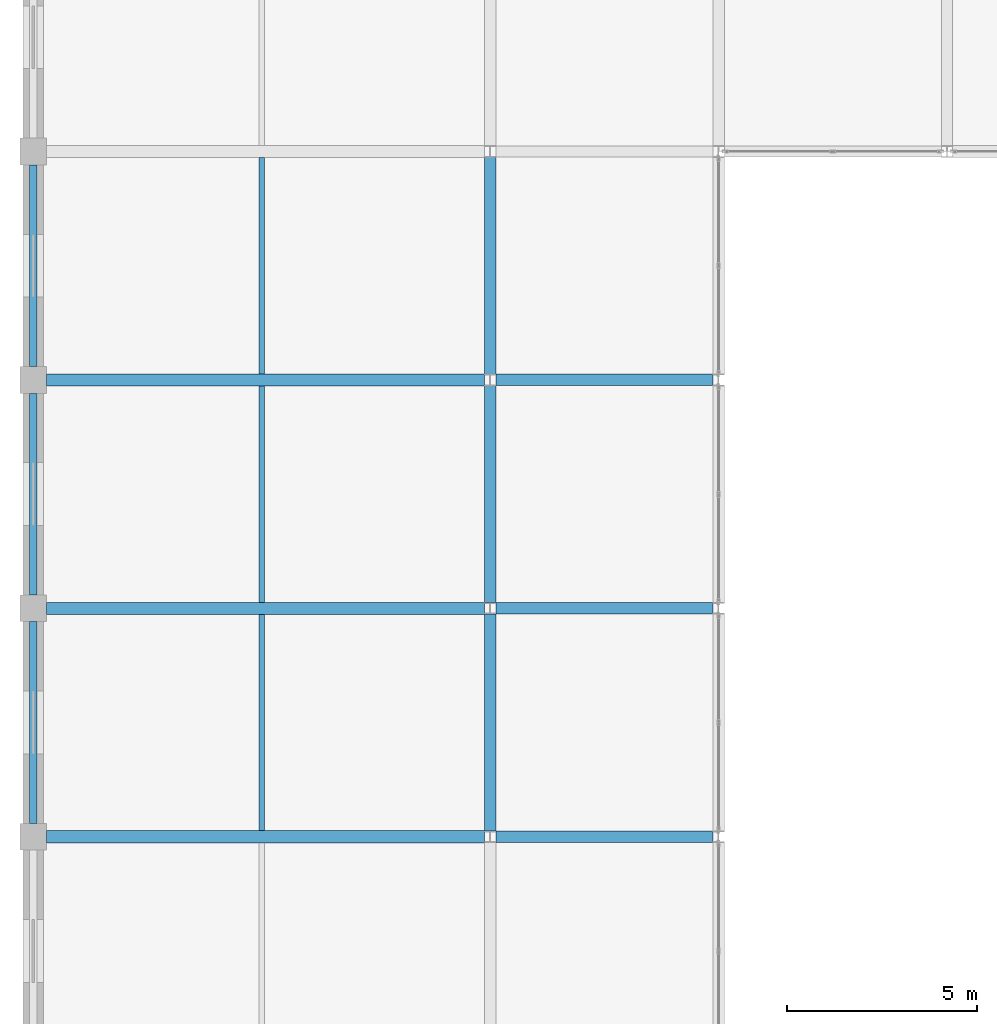
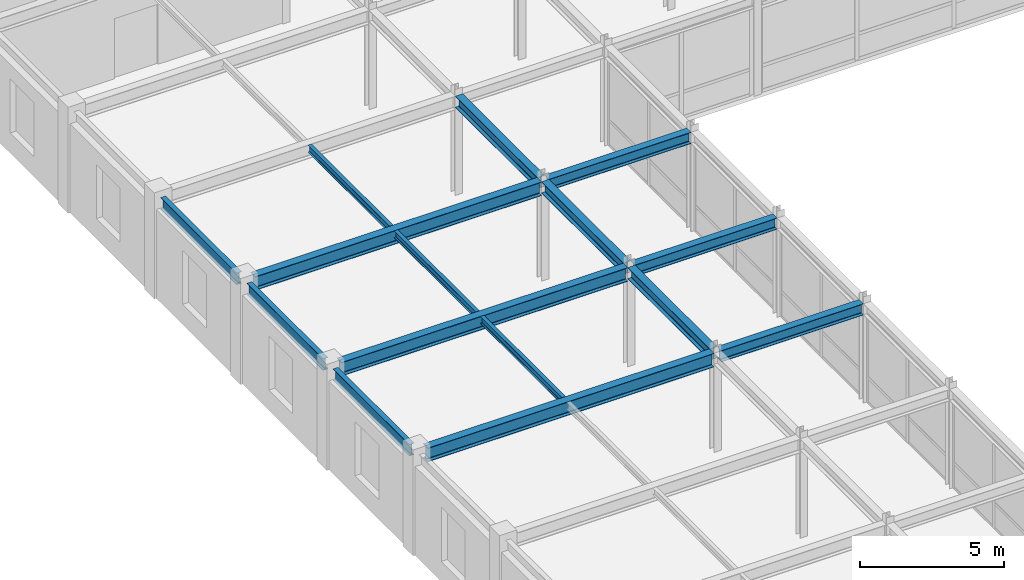
# One storey, part 41 of 108: 15 beams.
"""IFC4 building model written with IfcOpenShell, lengths in metres."""

import ifcopenshell
import ifcopenshell.guid

model = None  # the IFC model being written
_history = None  # IfcOwnerHistory: only IFC2X3 demands one
_inside = {}  # id of a spatial element -> (the spatial element, [elements in it])
_under = {}  # id of a project, library or spatial element -> (it, [spatial elements below it])
_declared = {}  # id of a project -> (the project, [libraries it declares])
_typed = {}  # id of a type object -> (the type object, [elements of that type])
_made_of = {}  # id of a material, layer set ... -> (it, [elements and type objects made of it])


def new_model(schema):
    """Start an empty IFC model of exactly this schema.

    Asked for "IFC4X3", IfcOpenShell would pick the latest addendum, in which some entities
    have other attributes; the version numbers below select the first issue.
    IFC2X3 requires an IfcOwnerHistory on every rooted entity: one is made here for all.
    """
    global model, _history
    if schema == "IFC4X3":
        model = ifcopenshell.file(schema_version=(4, 3, 0, 0))
    else:
        model = ifcopenshell.file(schema=schema)
    _inside.clear()
    _under.clear()
    _declared.clear()
    _typed.clear()
    _made_of.clear()
    _history = None
    if model.schema == "IFC2X3":
        org = make("IfcOrganization", Name="unknown")
        user = make(
            "IfcPersonAndOrganization",
            ThePerson=make("IfcPerson", FamilyName="unknown"),
            TheOrganization=org,
        )
        app = make(
            "IfcApplication",
            ApplicationDeveloper=org,
            Version="unknown",
            ApplicationFullName="unknown",
            ApplicationIdentifier="unknown",
        )
        _history = make(
            "IfcOwnerHistory",
            OwningUser=user,
            OwningApplication=app,
            ChangeAction="ADDED",
            CreationDate=0,
        )
    return model


def make(cls, **values):
    """One entity of the class cls with the attributes given. An attribute that is None is left unset."""
    return model.create_entity(
        cls, **{name: value for name, value in values.items() if value is not None}
    )


def rooted(cls, **values):
    """An entity with a GlobalId (a new one), such as an element, a storey or a relation."""
    return make(cls, GlobalId=ifcopenshell.guid.new(), OwnerHistory=_history, **values)


def si_unit(unit_type, name, prefix=None):
    """IfcSIUnit, for example si_unit("LENGTHUNIT", "METRE", prefix="MILLI")."""
    return make("IfcSIUnit", UnitType=unit_type, Prefix=prefix, Name=name)


def assignment(units):
    """IfcUnitAssignment: the units of a project."""
    return None if units is None else make("IfcUnitAssignment", Units=units)


def point(xyz):
    """IfcCartesianPoint."""
    return None if xyz is None else make("IfcCartesianPoint", Coordinates=xyz)


def direction(xyz):
    """IfcDirection."""
    return None if xyz is None else make("IfcDirection", DirectionRatios=xyz)


def frame(location, z_axis=None, x_axis=None):
    """IfcAxis2Placement3D, a coordinate frame: its origin and axes. An axis left out is left unset."""
    return make(
        "IfcAxis2Placement3D",
        Location=point(location),
        Axis=direction(z_axis),
        RefDirection=direction(x_axis),
    )


def frame_2d(location, x_axis=None):
    """IfcAxis2Placement2D, a coordinate frame in the plane: its origin and x axis."""
    return make(
        "IfcAxis2Placement2D", Location=point(location), RefDirection=direction(x_axis)
    )


def origin():
    """The frame at (0, 0, 0) with its axes left unset."""
    return frame((0.0, 0.0, 0.0))


def origin_2d():
    """The frame at (0, 0) in the plane with its x axis left unset."""
    return frame_2d((0.0, 0.0))


def place(relative_to, where):
    """IfcLocalPlacement: puts the frame where relative to a parent placement (None: the world)."""
    return make(
        "IfcLocalPlacement", PlacementRelTo=relative_to, RelativePlacement=where
    )


def context(
    kind, dimensions, precision=None, world=None, true_north=None, identifier=None
):
    """IfcGeometricRepresentationContext, for example the 3D "Model" context."""
    return make(
        "IfcGeometricRepresentationContext",
        ContextIdentifier=identifier,
        ContextType=kind,
        CoordinateSpaceDimension=dimensions,
        Precision=precision,
        WorldCoordinateSystem=world,
        TrueNorth=true_north,
    )


def subcontext(parent, identifier, kind, view, scale=None):
    """IfcGeometricRepresentationSubContext, for example "Body" below "Model"."""
    return make(
        "IfcGeometricRepresentationSubContext",
        ContextIdentifier=identifier,
        ContextType=kind,
        ParentContext=parent,
        TargetScale=scale,
        TargetView=view,
    )


def project(units=None, contexts=None):
    """IfcProject with its units and contexts."""
    return rooted(
        "IfcProject",
        Name="project",
        RepresentationContexts=contexts,
        UnitsInContext=assignment(units),
    )


def spatial(cls, under=None, at=None, **own):
    """A site, building, storey or space (cls), placed at a placement, below another one or the project."""
    s = rooted(cls, ObjectPlacement=at, **own)
    if under is not None:
        _under.setdefault(under.id(), (under, []))[1].append(s)
    return s


def profile(cls, at=None, kind="AREA", **sizes):
    """A parametric profile (cls). Its sizes go by their IFC names, for example OverallWidth=200.0."""
    return make(cls, ProfileType=kind, Position=at, **sizes)


def i_section(**sizes):
    """IfcIShapeProfileDef."""
    return profile("IfcIShapeProfileDef", **sizes)


def extrude(swept, where, along, depth):
    """IfcExtrudedAreaSolid: the profile swept, set in the frame where, extruded along a direction by depth."""
    return make(
        "IfcExtrudedAreaSolid",
        SweptArea=swept,
        Position=where,
        ExtrudedDirection=direction(along),
        Depth=depth,
    )


def shape(context_of_items, identifier, shape_type, items):
    """IfcShapeRepresentation: the items that make up one representation, for example the "Body"."""
    return make(
        "IfcShapeRepresentation",
        ContextOfItems=context_of_items,
        RepresentationIdentifier=identifier,
        RepresentationType=shape_type,
        Items=items,
    )


def material(Name=None, Category=None):
    """IfcMaterial."""
    return make("IfcMaterial", Name=Name, Category=Category)


def material_profile(
    of_material, cross_section, Name=None, Category=None, Priority=None
):
    """IfcMaterialProfile: a cross section and its material."""
    return make(
        "IfcMaterialProfile",
        Name=Name,
        Material=of_material,
        Profile=cross_section,
        Priority=Priority,
        Category=Category,
    )


def profile_set(profiles, Name=None, composite=None):
    """IfcMaterialProfileSet."""
    return make(
        "IfcMaterialProfileSet",
        Name=Name,
        MaterialProfiles=profiles,
        CompositeProfile=composite,
    )


def made_of(thing, what):
    """Note that an element or type object is made of a material, layer set ...; save() writes the relation."""
    if what is not None:
        _made_of.setdefault(what.id(), (what, []))[1].append(thing)
    return thing


def type_object(cls, material=None, **own):
    """A type object (cls), such as IfcWallType, which elements share."""
    return made_of(rooted(cls, **own), material)


def element(
    cls,
    number,
    at=None,
    inside=None,
    cuts=None,
    type_object=None,
    material=None,
    context=None,
    identifier="Body",
    shape_type=None,
    held_by="IfcProductDefinitionShape",
    body=None,
    shapes=None,
    **own,
):
    """One element of the class cls, such as IfcWall. Its Tag is "e" and its number.

    at: its placement. inside: the storey or other place that contains it. cuts: it is an
    opening in that element (IfcRelVoidsElement). A single representation is given by context,
    identifier, shape_type and body (its items); several are given by shapes. held_by: the class
    of the entity that holds the representations. save() writes the other relations.
    """
    e = rooted(cls, Tag="e%d" % number, ObjectPlacement=at, **own)
    if body is not None:
        shapes = [shape(context, identifier, shape_type, body)]
    if shapes is not None:
        e.Representation = make(held_by, Representations=shapes)
    if inside is not None:
        _inside.setdefault(inside.id(), (inside, []))[1].append(e)
    if cuts is not None:
        rooted(
            "IfcRelVoidsElement", RelatingBuildingElement=cuts, RelatedOpeningElement=e
        )
    if type_object is not None:
        _typed.setdefault(type_object.id(), (type_object, []))[1].append(e)
    return made_of(e, material)


def aggregate(whole, parts):
    """IfcRelAggregates: a whole, such as a stair, and the parts it consists of."""
    return rooted("IfcRelAggregates", RelatingObject=whole, RelatedObjects=parts)


def save(model, path):
    """Write the relations noted so far, then the file.

    IfcRelAggregates (storeys below a building ...), IfcRelContainedInSpatialStructure (elements
    in a storey), IfcRelDefinesByType, IfcRelAssociatesMaterial and IfcRelDeclares: one each for
    every whole, place, type object, material and project.
    """
    for whole, parts in _under.values():
        aggregate(whole, parts)
    for where, things in _inside.values():
        rooted(
            "IfcRelContainedInSpatialStructure",
            RelatedElements=things,
            RelatingStructure=where,
        )
    for kind, things in _typed.values():
        rooted("IfcRelDefinesByType", RelatedObjects=things, RelatingType=kind)
    for what, things in _made_of.values():
        rooted("IfcRelAssociatesMaterial", RelatedObjects=things, RelatingMaterial=what)
    for by, libraries in _declared.values():
        rooted("IfcRelDeclares", RelatingContext=by, RelatedDefinitions=libraries)
    model.write(path)


model = new_model("IFC4")

# Units and contexts
model_context = context("Model", 3, precision=1e-05, world=origin(), true_north=direction((0.0, 1.0)))
body_context = subcontext(model_context, "Body", "Model", "MODEL_VIEW")
ifc_project = project(units=[si_unit("LENGTHUNIT", "METRE"), si_unit("AREAUNIT", "SQUARE_METRE"), si_unit("VOLUMEUNIT", "CUBIC_METRE"), si_unit("PLANEANGLEUNIT", "RADIAN"), si_unit("MASSUNIT", "GRAM", prefix="KILO")], contexts=[model_context])

# Site, building, storey
site_placement = place(None, origin())
site = spatial("IfcSite", under=ifc_project, at=site_placement, CompositionType="ELEMENT")
building_placement = place(site_placement, origin())
building = spatial("IfcBuilding", under=site, at=building_placement, Name="Zlatovratsky Civic Hall", CompositionType="ELEMENT")
storey_placement = place(building_placement, frame((0.0, 0.0, 12.0)))
storey = spatial("IfcBuildingStorey", under=building, at=storey_placement, Name="L03", CompositionType="ELEMENT", Elevation=12.0)

# Beams
ifc_material = material(Name="Steel S355", Category="steel")
ifc_material_profile_1 = material_profile(ifc_material, i_section(OverallWidth=0.300048828125, OverallDepth=0.48193359375, WebThickness=0.010986328125, FlangeThickness=0.014892578125, FilletRadius=0.02392578125, at=origin_2d()), Name="50Sh1")
ifc_profile_set_1 = profile_set([ifc_material_profile_1], Name="Steel S355")
beam_type_1 = type_object("IfcBeamType", Name="Beam_LibraryGirder_50Sh1", PredefinedType="BEAM", material=ifc_profile_set_1)
for number, where, z_axis, x_axis, name in (
    (1, (12.1494140625, 48.0, 3.97900390625), (1.0, 0.0, 0.0), (0.0, 1.0, 0.0), "BM-2576"),
    (2, (12.1494140625, 54.0, 3.97900390625), (1.0, 0.0, 0.0), (0.0, 1.0, 0.0), "BM-2586"),
    (3, (12.1494140625, 60.0, 3.97900390625), (1.0, 0.0, 0.0), (0.0, 1.0, 0.0), "BM-2596"),
):
    element("IfcBeam", number, at=place(storey_placement, frame(where, z_axis=z_axis, x_axis=x_axis)), inside=storey, type_object=beam_type_1, Name=name, PredefinedType="BEAM", context=body_context, shape_type="SweptSolid", body=[
        extrude(i_section(OverallWidth=0.300048828125, OverallDepth=0.48193359375, WebThickness=0.010986328125, FlangeThickness=0.014892578125, FilletRadius=0.02392578125, at=origin_2d()), origin(), (0.0, 0.0, 1.0), 5.701171875),
    ])
for number, where, z_axis, x_axis, name in (
    (4, (12.0, 48.14794921875, 3.97900390625), (0.0, 1.0, 0.0), (-1.0, 0.0, 0.0), "BM-2816"),
    (5, (12.0, 54.14794921875, 3.97900390625), (0.0, 1.0, 0.0), (-1.0, 0.0, 0.0), "BM-2817"),
    (6, (12.0, 60.14794921875, 3.97900390625), (0.0, 1.0, 0.0), (-1.0, 0.0, 0.0), "BM-2818"),
):
    element("IfcBeam", number, at=place(storey_placement, frame(where, z_axis=z_axis, x_axis=x_axis)), inside=storey, type_object=beam_type_1, Name=name, PredefinedType="BEAM", context=body_context, shape_type="SweptSolid", body=[
        extrude(i_section(OverallWidth=0.300048828125, OverallDepth=0.48193359375, WebThickness=0.010986328125, FlangeThickness=0.014892578125, FilletRadius=0.02392578125, at=origin_2d()), origin(), (0.0, 0.0, 1.0), 5.7041015625),
    ])
ifc_material_profile_2 = material_profile(ifc_material, i_section(OverallWidth=0.320068359375, OverallDepth=0.58203125, WebThickness=0.011962890625, FlangeThickness=0.01708984375, FilletRadius=0.02392578125, at=origin_2d()), Name="60Sh1")
ifc_profile_set_2 = profile_set([ifc_material_profile_2], Name="Steel S355")
beam_type_2 = type_object("IfcBeamType", Name="Beam_PodiumGirder_60Sh1", PredefinedType="BEAM", material=ifc_profile_set_2)
for number, where, z_axis, x_axis, name in (
    (7, (0.35009765625, 48.0, 3.928955078125), (1.0, 0.0, 0.0), (0.0, 1.0, 0.0), "BM-2575"),
    (8, (0.35009765625, 54.0, 3.928955078125), (1.0, 0.0, 0.0), (0.0, 1.0, 0.0), "BM-2585"),
    (9, (0.35009765625, 60.0, 3.928955078125), (1.0, 0.0, 0.0), (0.0, 1.0, 0.0), "BM-2595"),
):
    element("IfcBeam", number, at=place(storey_placement, frame(where, z_axis=z_axis, x_axis=x_axis)), inside=storey, type_object=beam_type_2, Name=name, PredefinedType="BEAM", context=body_context, shape_type="SweptSolid", body=[
        extrude(i_section(OverallWidth=0.320068359375, OverallDepth=0.58203125, WebThickness=0.011962890625, FlangeThickness=0.01708984375, FilletRadius=0.02392578125, at=origin_2d()), origin(), (0.0, 0.0, 1.0), 11.50048828125),
    ])
ifc_material_profile_3 = material_profile(ifc_material, i_section(OverallWidth=0.198974609375, OverallDepth=0.491943359375, WebThickness=0.0087890625, FlangeThickness=0.011962890625, FilletRadius=0.01611328125, at=origin_2d()), Name="50B1")
ifc_profile_set_3 = profile_set([ifc_material_profile_3], Name="Steel S355")
beam_type_3 = type_object("IfcBeamType", Name="Beam_Spandrel_50B1", PredefinedType="SPANDREL", material=ifc_profile_set_3)
for number, where, z_axis, x_axis, name in (
    (10, (0.0, 48.35009765625, 3.97412109375), (0.0, 1.0, 0.0), (-1.0, 0.0, 0.0), "BM-2799"),
    (11, (0.0, 54.35009765625, 3.97412109375), (0.0, 1.0, 0.0), (-1.0, 0.0, 0.0), "BM-2800"),
    (12, (0.0, 60.35009765625, 3.97412109375), (0.0, 1.0, 0.0), (-1.0, 0.0, 0.0), "BM-2801"),
):
    element("IfcBeam", number, at=place(storey_placement, frame(where, z_axis=z_axis, x_axis=x_axis)), inside=storey, type_object=beam_type_3, Name=name, PredefinedType="SPANDREL", context=body_context, shape_type="SweptSolid", body=[
        extrude(i_section(OverallWidth=0.198974609375, OverallDepth=0.491943359375, WebThickness=0.0087890625, FlangeThickness=0.011962890625, FilletRadius=0.01611328125, at=origin_2d()), origin(), (0.0, 0.0, 1.0), 5.2998046875),
    ])
ifc_material_profile_4 = material_profile(ifc_material, i_section(OverallWidth=0.14892578125, OverallDepth=0.2958984375, WebThickness=0.005615234375, FlangeThickness=0.008056640625, FilletRadius=0.012939453125, at=origin_2d()), Name="30B1")
ifc_profile_set_4 = profile_set([ifc_material_profile_4], Name="Steel S355")
beam_type_4 = type_object("IfcBeamType", Name="Joist_Tower_30B1", PredefinedType="JOIST", material=ifc_profile_set_4)
for number, where, z_axis, x_axis, name in (
    (13, (6.0, 48.159912109375, 4.072021484375), (0.0, 1.0, 0.0), (-1.0, 0.0, 0.0), "BM-3144"),
    (14, (6.0, 54.159912109375, 4.072021484375), (0.0, 1.0, 0.0), (-1.0, 0.0, 0.0), "BM-3146"),
    (15, (6.0, 60.159912109375, 4.072021484375), (0.0, 1.0, 0.0), (-1.0, 0.0, 0.0), "BM-3148"),
):
    element("IfcBeam", number, at=place(storey_placement, frame(where, z_axis=z_axis, x_axis=x_axis)), inside=storey, type_object=beam_type_4, Name=name, PredefinedType="JOIST", context=body_context, shape_type="SweptSolid", body=[
        extrude(i_section(OverallWidth=0.14892578125, OverallDepth=0.2958984375, WebThickness=0.005615234375, FlangeThickness=0.008056640625, FilletRadius=0.012939453125, at=origin_2d()), origin(), (0.0, 0.0, 1.0), 5.68017578125),
    ])

save(model, "model.ifc")
